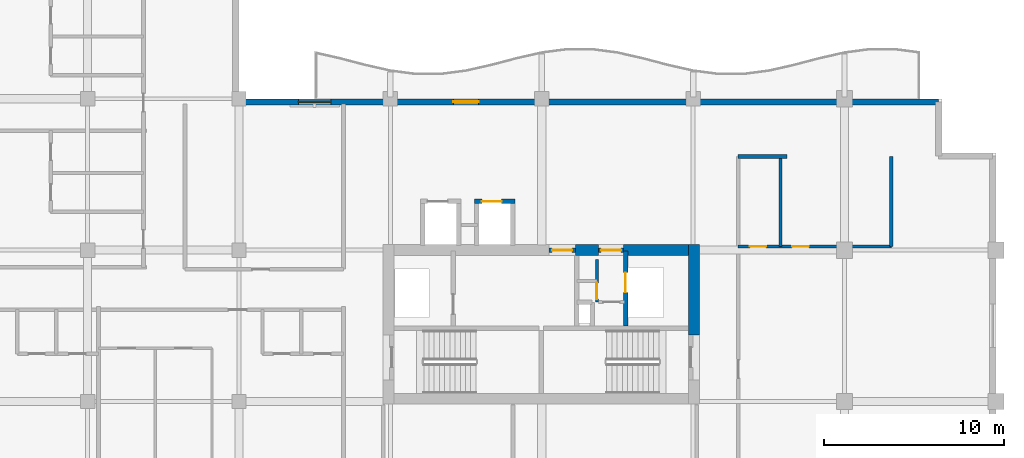
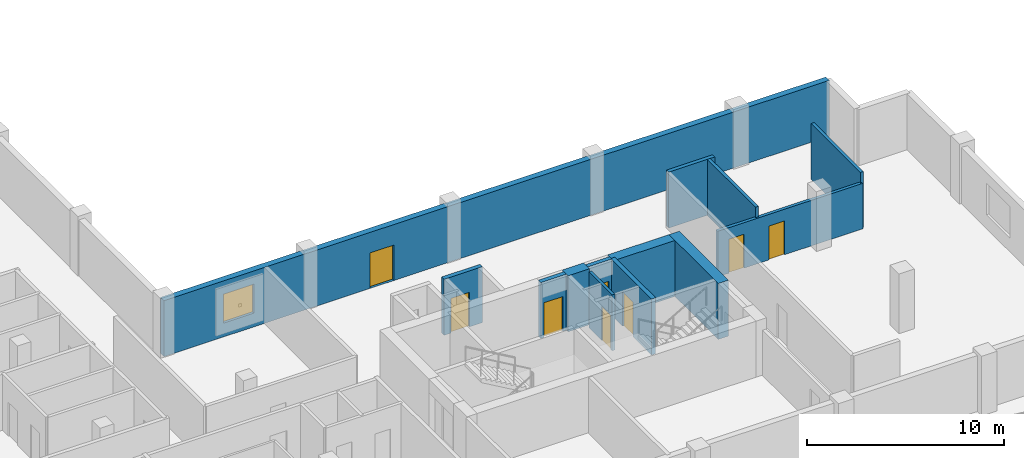
# One storey, part 5 of 12: 13 walls, 8 doors, 1 window, 9 openings.
"""IFC4 building model written with IfcOpenShell, lengths in metres."""

from ifc_helpers import new_model, si_unit, direction, frame, frame_2d, origin, place, context, subcontext, project, spatial, rectangle, extrude, material, layer, layer_set, type_object, element, fill, save


model = new_model("IFC4")

# Units and contexts
model_context = context("Model", 3, precision=1e-05, world=origin(), true_north=direction((0.0, 1.0)))
body_context = subcontext(model_context, "Body", "Model", "MODEL_VIEW")
ifc_project = project(units=[si_unit("LENGTHUNIT", "METRE"), si_unit("AREAUNIT", "SQUARE_METRE"), si_unit("VOLUMEUNIT", "CUBIC_METRE"), si_unit("PLANEANGLEUNIT", "RADIAN"), si_unit("MASSUNIT", "GRAM", prefix="KILO")], contexts=[model_context])

# Site, building, storey
site_placement = place(None, origin())
site = spatial("IfcSite", under=ifc_project, at=site_placement, CompositionType="ELEMENT")
building_placement = place(site_placement, origin())
building = spatial("IfcBuilding", under=site, at=building_placement, Name="Koriwani Terraces Tower", CompositionType="ELEMENT")
storey_placement = place(building_placement, frame((0.0, 0.0, 263.800048828125)))
storey = spatial("IfcBuildingStorey", under=building, at=storey_placement, Name="L65", CompositionType="ELEMENT", Elevation=263.800048828125)

# Walls
ifc_material_1 = material(Name="Concrete C60/75", Category="concrete")
ifc_layer_1 = layer(ifc_material_1, 0.60009765625, Name="Concrete C60/75")
ifc_layer_set_1 = layer_set([ifc_layer_1], Name="Concrete C60/75")
wall_type_1 = type_object("IfcWallType", Name="WALL_CORE_RC_600", PredefinedType="SHEAR", material=ifc_layer_set_1)
wall_1_placement = place(storey_placement, frame((58.85009765625, 20.5, 0.0), z_axis=(0.0, 0.0, 1.0), x_axis=(0.0, 1.0, 0.0)))
element("IfcWall", 1, at=wall_1_placement, inside=storey, type_object=wall_type_1, Name="L65 East Split Core Shear Wall E2", PredefinedType="SHEAR", context=body_context, shape_type="SweptSolid", body=[
    extrude(rectangle(XDim=5.0, YDim=0.60009765625, at=frame_2d((2.5, 0.0))), origin(), (0.0, 0.0, 1.0), 3.469970703125),
])
wall_2_placement = place(storey_placement, frame((52.280029296875, 25.199951171875, 0.0), z_axis=(0.0, 0.0, 1.0), x_axis=(1.0, 0.0, 0.0)))
element("IfcWall", 2, at=wall_2_placement, inside=storey, type_object=wall_type_1, Name="L65 East Split Core Shear Wall N2", PredefinedType="SHEAR", context=body_context, shape_type="SweptSolid", body=[
    extrude(rectangle(XDim=1.27001953125, YDim=0.60009765625, at=frame_2d((0.635009765625, 0.0))), origin(), (0.0, 0.0, 1.0), 3.469970703125),
])
wall_3_placement = place(storey_placement, frame((54.949951171875, 25.199951171875, 0.0), z_axis=(0.0, 0.0, 1.0), x_axis=(1.0, 0.0, 0.0)))
element("IfcWall", 3, at=wall_3_placement, inside=storey, type_object=wall_type_1, Name="L65 East Split Core Shear Wall N3", PredefinedType="SHEAR", context=body_context, shape_type="SweptSolid", body=[
    extrude(rectangle(XDim=3.60009765625, YDim=0.60009765625, at=frame_2d((1.800048828125, 0.0))), origin(), (0.0, 0.0, 1.0), 3.469970703125),
])
ifc_material_2 = material(Name="Autoclaved Cellular Concrete Blockwork", Category="masonry")
ifc_layer_2 = layer(ifc_material_2, 0.219970703125, Name="Autoclaved Cellular Concrete Blockwork")
ifc_layer_set_2 = layer_set([ifc_layer_2], Name="Autoclaved Cellular Concrete Blockwork")
wall_type_2 = type_object("IfcWallType", Name="WALL_DEMISING_220", PredefinedType="PARTITIONING", material=ifc_layer_set_2)
wall_4_placement = place(storey_placement, frame((61.300048828125, 30.39990234375, 0.0), z_axis=(0.0, 0.0, 1.0), x_axis=(1.0, 0.0, 0.0)))
element("IfcWall", 4, at=wall_4_placement, inside=storey, type_object=wall_type_2, Name="L65 Interior Wall WET-N-L65", PredefinedType="PARTITIONING", context=body_context, shape_type="SweptSolid", body=[
    extrude(rectangle(XDim=2.699951171875, YDim=0.219970703125, at=frame_2d((1.35009765625, 0.0))), origin(), (0.0, 0.0, 1.0), 3.469970703125),
])

# Wall, openings, door, window
ifc_material_3 = material(Name="Concrete C50/60", Category="concrete")
ifc_layer_3 = layer(ifc_material_3, 0.35009765625, Name="Concrete C50/60")
ifc_layer_set_3 = layer_set([ifc_layer_3], Name="Concrete C50/60")
wall_type_3 = type_object("IfcWallType", Name="WALL_EXT_BRUTALIST_350", PredefinedType="STANDARD", material=ifc_layer_set_3)
wall_5_placement = place(storey_placement, frame((33.425048828125, 33.425048828125, 0.0), z_axis=(0.0, 0.0, 1.0), x_axis=(1.0, 0.0, 0.0)))
wall_5 = element("IfcWall", 5, at=wall_5_placement, inside=storey, type_object=wall_type_3, Name="L65 Fair-Faced Brutalist Exterior Wall (NE)", PredefinedType="STANDARD", context=body_context, shape_type="SweptSolid", body=[
    extrude(rectangle(XDim=39.0, YDim=0.35009765625, at=frame_2d((19.5, 0.0))), origin(), (0.0, 0.0, 1.0), 3.469970703125),
])
opening_1_placement = place(wall_5_placement, frame((12.074951171875, 0.0, 0.0)))
opening_1 = element("IfcOpeningElement", 6, at=opening_1_placement, cuts=wall_5, Name="Opening D-09", PredefinedType="OPENING", context=body_context, shape_type="SweptSolid", body=[
    extrude(rectangle(XDim=1.39990234375, YDim=2.199951171875, at=frame_2d((0.699951171875, 1.10009765625))), frame((0.0, 0.18505859375, 0.0), z_axis=(0.0, -1.0, 0.0), x_axis=(1.0, 0.0, 0.0)), (0.0, 0.0, 1.0), 0.3701171875),
])
opening_2_placement = place(wall_5_placement, frame((3.47509765625, 0.0, 0.85009765625)))
opening_2 = element("IfcOpeningElement", 7, at=opening_2_placement, cuts=wall_5, Name="Opening W-04", PredefinedType="OPENING", context=body_context, shape_type="SweptSolid", body=[
    extrude(rectangle(XDim=1.800048828125, YDim=1.800048828125, at=frame_2d((0.89990234375, 0.89990234375))), frame((0.0, 0.18505859375, 0.0), z_axis=(0.0, -1.0, 0.0), x_axis=(1.0, 0.0, 0.0)), (0.0, 0.0, 1.0), 0.3701171875),
])
ifc_material_4 = material(Name="Anodised Bronze Aluminium", Category="aluminium")
door_type_1 = type_object("IfcDoorType", Name="DOOR_BALCONY_GLAZED_1400X2200", OperationType="NOTDEFINED", PredefinedType="DOOR", material=ifc_material_4)
door_1_placement = place(opening_1_placement, origin())
door_1 = element("IfcDoor", 8, at=door_1_placement, inside=storey, type_object=door_type_1, Name="L65 Inner Court Balcony Glazed Door", OperationType="SINGLE_SWING_LEFT", OverallHeight=2.199951171875, OverallWidth=1.39990234375, PredefinedType="DOOR", context=body_context, shape_type="SweptSolid", body=[
    extrude(rectangle(XDim=1.39990234375, YDim=2.199951171875, at=frame_2d((0.699951171875, 1.10009765625))), frame((0.0, 0.02490234375, 0.0), z_axis=(0.0, -1.0, 0.0), x_axis=(1.0, 0.0, 0.0)), (0.0, 0.0, 1.0), 0.050048828125),
])
fill(opening_1, door_1)
ifc_material_5 = material(Name="Tempered Laminated Low-E Glass", Category="glass")
window_type = type_object("IfcWindowType", Name="WIN_RES_BED_1800X1800", PartitioningType="DOUBLE_PANEL_VERTICAL", PredefinedType="WINDOW", material=ifc_material_5)
window_placement = place(opening_2_placement, origin())
window = element("IfcWindow", 9, at=window_placement, inside=storey, type_object=window_type, Name="L65 Exterior Window (NE-2)", OverallHeight=1.800048828125, OverallWidth=1.800048828125, PartitioningType="SINGLE_PANEL", PredefinedType="WINDOW", context=body_context, shape_type="SweptSolid", body=[
    extrude(rectangle(XDim=1.800048828125, YDim=1.800048828125, at=frame_2d((0.89990234375, 0.89990234375))), frame((0.0, 0.030029296875, 0.0), z_axis=(0.0, -1.0, 0.0), x_axis=(1.0, 0.0, 0.0)), (0.0, 0.0, 1.0), 0.06005859375),
])
fill(opening_2, window)

# Wall, openings, doors
ifc_material_6 = material(Name="Fire-Rated Acoustic Gypsum Partition", Category="masonry")
ifc_layer_4 = layer(ifc_material_6, 0.179931640625, Name="Fire-Rated Acoustic Gypsum Partition")
ifc_layer_set_4 = layer_set([ifc_layer_4], Name="Fire-Rated Acoustic Gypsum Partition")
wall_type_4 = type_object("IfcWallType", Name="WALL_PLUMBING_180", PredefinedType="PLUMBINGWALL", material=ifc_layer_set_4)
wall_6_placement = place(storey_placement, frame((61.300048828125, 25.39990234375, 0.0), z_axis=(0.0, 0.0, 1.0), x_axis=(1.0, 0.0, 0.0)))
wall_6 = element("IfcWall", 10, at=wall_6_placement, inside=storey, type_object=wall_type_4, Name="L65 Interior Wall WET-SVB-L65", PredefinedType="PLUMBINGWALL", context=body_context, shape_type="SweptSolid", body=[
    extrude(rectangle(XDim=8.5, YDim=0.179931640625, at=frame_2d((4.25, 0.0))), origin(), (0.0, 0.0, 1.0), 2.820068359375),
])
opening_3_placement = place(wall_6_placement, frame((0.64990234375, 0.0, 0.0)))
opening_3 = element("IfcOpeningElement", 11, at=opening_3_placement, cuts=wall_6, Name="Opening D-07", PredefinedType="OPENING", context=body_context, shape_type="SweptSolid", body=[
    extrude(rectangle(XDim=0.89990234375, YDim=2.10009765625, at=frame_2d((0.449951171875, 1.050048828125))), frame((0.0, 0.10009765625, 0.0), z_axis=(0.0, -1.0, 0.0), x_axis=(1.0, 0.0, 0.0)), (0.0, 0.0, 1.0), 0.199951171875),
])
opening_4_placement = place(wall_6_placement, frame((3.0, 0.0, 0.0)))
opening_4 = element("IfcOpeningElement", 12, at=opening_4_placement, cuts=wall_6, Name="Opening D-06", PredefinedType="OPENING", context=body_context, shape_type="SweptSolid", body=[
    extrude(rectangle(XDim=0.919921875, YDim=2.10009765625, at=frame_2d((0.4599609375, 1.050048828125))), frame((0.0, 0.10009765625, 0.0), z_axis=(0.0, -1.0, 0.0), x_axis=(1.0, 0.0, 0.0)), (0.0, 0.0, 1.0), 0.199951171875),
])
ifc_material_7 = material(Name="Architectural Oak Fire Door", Category="wood")
door_type_2 = type_object("IfcDoorType", Name="DOOR_BATH_INT_900X2100", OperationType="NOTDEFINED", PredefinedType="DOOR", material=ifc_material_7)
door_2_placement = place(opening_3_placement, origin())
door_2 = element("IfcDoor", 13, at=door_2_placement, inside=storey, type_object=door_type_2, Name="Apartment 65ET Bathroom Door", OperationType="SINGLE_SWING_RIGHT", OverallHeight=2.10009765625, OverallWidth=0.89990234375, PredefinedType="DOOR", context=body_context, shape_type="SweptSolid", body=[
    extrude(rectangle(XDim=0.89990234375, YDim=2.10009765625, at=frame_2d((0.449951171875, 1.050048828125))), frame((0.0, 0.02490234375, 0.0), z_axis=(0.0, -1.0, 0.0), x_axis=(1.0, 0.0, 0.0)), (0.0, 0.0, 1.0), 0.050048828125),
])
fill(opening_3, door_2)
door_type_3 = type_object("IfcDoorType", Name="DOOR_ROOM_INT_920X2100", OperationType="NOTDEFINED", PredefinedType="DOOR", material=ifc_material_7)
door_3_placement = place(opening_4_placement, origin())
door_3 = element("IfcDoor", 14, at=door_3_placement, inside=storey, type_object=door_type_3, Name="Apartment 65ET Kitchen Door", OperationType="SINGLE_SWING_LEFT", OverallHeight=2.10009765625, OverallWidth=0.919921875, PredefinedType="DOOR", context=body_context, shape_type="SweptSolid", body=[
    extrude(rectangle(XDim=0.919921875, YDim=2.10009765625, at=frame_2d((0.4599609375, 1.050048828125))), frame((0.0, 0.02490234375, 0.0), z_axis=(0.0, -1.0, 0.0), x_axis=(1.0, 0.0, 0.0)), (0.0, 0.0, 1.0), 0.050048828125),
])
fill(opening_4, door_3)

# Walls
for number, where, z_axis, x_axis, name in (
    (15, (63.64990234375, 25.39990234375, 0.0), (0.0, 0.0, 1.0), (0.0, 1.0, 0.0), "L65 Interior Wall WET-SVCM-L65"),
    (16, (69.800048828125, 25.39990234375, 0.0), (0.0, 0.0, 1.0), (0.0, 1.0, 0.0), "L65 Interior Wall WET-SVKE-L65"),
):
    element("IfcWall", number, at=place(storey_placement, frame(where, z_axis=z_axis, x_axis=x_axis)), inside=storey, type_object=wall_type_4, Name=name, PredefinedType="PLUMBINGWALL", context=body_context, shape_type="SweptSolid", body=[
        extrude(rectangle(XDim=5.0, YDim=0.179931640625, at=frame_2d((2.5, 0.0))), origin(), (0.0, 0.0, 1.0), 3.469970703125),
    ])

# Wall, opening, door
ifc_material_8 = material(Name="Concrete C40/50", Category="concrete")
ifc_layer_5 = layer(ifc_material_8, 0.25, Name="Concrete C40/50")
ifc_layer_set_5 = layer_set([ifc_layer_5], Name="Concrete C40/50")
wall_type_5 = type_object("IfcWallType", Name="WALL_SHAFT_RATED_250", PredefinedType="SOLIDWALL", material=ifc_layer_set_5)
wall_7_placement = place(storey_placement, frame((50.800048828125, 25.199951171875, 0.0), z_axis=(0.0, 0.0, 1.0), x_axis=(1.0, 0.0, 0.0)))
wall_7 = element("IfcWall", 17, at=wall_7_placement, inside=storey, type_object=wall_type_5, Name="L65 Interior Wall WIN-CE-L65-NP", PredefinedType="SOLIDWALL", context=body_context, shape_type="SweptSolid", body=[
    extrude(rectangle(XDim=1.47998046875, YDim=0.25, at=frame_2d((0.739990234375, 0.0))), origin(), (0.0, 0.0, 1.0), 3.469970703125),
])
opening_5_placement = place(wall_7_placement, frame((0.179931640625, 0.0, 0.0)))
opening_5 = element("IfcOpeningElement", 18, at=opening_5_placement, cuts=wall_7, Name="Opening D-03", PredefinedType="OPENING", context=body_context, shape_type="SweptSolid", body=[
    extrude(rectangle(XDim=1.10009765625, YDim=2.14990234375, at=frame_2d((0.550048828125, 1.074951171875))), frame((0.0, 0.135009765625, 0.0), z_axis=(0.0, -1.0, 0.0), x_axis=(1.0, 0.0, 0.0)), (0.0, 0.0, 1.0), 0.27001953125),
])
ifc_material_9 = material(Name="Steel ASTM A572 Grade 50", Category="steel")
door_type_4 = type_object("IfcDoorType", Name="DOOR_STAIR_FIRE_1100X2150", OperationType="NOTDEFINED", PredefinedType="DOOR", material=ifc_material_9)
door_4_placement = place(opening_5_placement, origin())
door_4 = element("IfcDoor", 19, at=door_4_placement, inside=storey, type_object=door_type_4, Name="L65 East Firefighting Lobby Door", OperationType="SINGLE_SWING_RIGHT", OverallHeight=2.14990234375, OverallWidth=1.10009765625, PredefinedType="DOOR", context=body_context, shape_type="SweptSolid", body=[
    extrude(rectangle(XDim=1.10009765625, YDim=2.14990234375, at=frame_2d((0.550048828125, 1.074951171875))), frame((0.0, 0.02490234375, 0.0), z_axis=(0.0, -1.0, 0.0), x_axis=(1.0, 0.0, 0.0)), (0.0, 0.0, 1.0), 0.050048828125),
])
fill(opening_5, door_4)

wall_8_placement = place(storey_placement, frame((55.050048828125, 21.0, 0.0), z_axis=(0.0, 0.0, 1.0), x_axis=(0.0, 1.0, 0.0)))
wall_8 = element("IfcWall", 20, at=wall_8_placement, inside=storey, type_object=wall_type_5, Name="L65 Interior Wall WIN-CE-L65-SE", PredefinedType="SOLIDWALL", context=body_context, shape_type="SweptSolid", body=[
    extrude(rectangle(XDim=4.14990234375, YDim=0.25, at=frame_2d((2.074951171875, 0.0))), origin(), (0.0, 0.0, 1.0), 3.469970703125),
])
opening_6_placement = place(wall_8_placement, frame((1.85009765625, 0.0, 0.0)))
opening_6 = element("IfcOpeningElement", 21, at=opening_6_placement, cuts=wall_8, Name="Opening LD-01", PredefinedType="OPENING", context=body_context, shape_type="SweptSolid", body=[
    extrude(rectangle(XDim=1.10009765625, YDim=2.14990234375, at=frame_2d((0.550048828125, 1.074951171875))), frame((0.0, 0.135009765625, 0.0), z_axis=(0.0, -1.0, 0.0), x_axis=(1.0, 0.0, 0.0)), (0.0, 0.0, 1.0), 0.27001953125),
])
door_type_5 = type_object("IfcDoorType", Name="DOOR_LIFT_LANDING_1100X2200", OperationType="NOTDEFINED", PredefinedType="DOOR", material=ifc_material_9)
door_5_placement = place(opening_6_placement, origin())
door_5 = element("IfcDoor", 22, at=door_5_placement, inside=storey, type_object=door_type_5, Name="L65 Goods Lift SE-02 Landing Door", OperationType="SLIDING_TO_LEFT", OverallHeight=2.14990234375, OverallWidth=1.10009765625, PredefinedType="DOOR", context=body_context, shape_type="SweptSolid", body=[
    extrude(rectangle(XDim=1.10009765625, YDim=2.14990234375, at=frame_2d((0.550048828125, 1.074951171875))), frame((0.0, 0.02490234375, 0.0), z_axis=(0.0, -1.0, 0.0), x_axis=(1.0, 0.0, 0.0)), (0.0, 0.0, 1.0), 0.050048828125),
])
fill(opening_6, door_5)

wall_9_placement = place(storey_placement, frame((53.550048828125, 25.199951171875, 0.0), z_axis=(0.0, 0.0, 1.0), x_axis=(1.0, 0.0, 0.0)))
wall_9 = element("IfcWall", 23, at=wall_9_placement, inside=storey, type_object=wall_type_5, Name="L65 Interior Wall WIN-CE-L65-NP2", PredefinedType="SOLIDWALL", context=body_context, shape_type="SweptSolid", body=[
    extrude(rectangle(XDim=1.39990234375, YDim=0.25, at=frame_2d((0.699951171875, 0.0))), origin(), (0.0, 0.0, 1.0), 3.469970703125),
])
opening_7_placement = place(wall_9_placement, frame((0.14990234375, 0.0, 0.0)))
opening_7 = element("IfcOpeningElement", 24, at=opening_7_placement, cuts=wall_9, Name="Opening D-03", PredefinedType="OPENING", context=body_context, shape_type="SweptSolid", body=[
    extrude(rectangle(XDim=1.10009765625, YDim=2.14990234375, at=frame_2d((0.550048828125, 1.074951171875))), frame((0.0, 0.135009765625, 0.0), z_axis=(0.0, -1.0, 0.0), x_axis=(1.0, 0.0, 0.0)), (0.0, 0.0, 1.0), 0.27001953125),
])
door_6_placement = place(opening_7_placement, origin())
door_6 = element("IfcDoor", 25, at=door_6_placement, inside=storey, type_object=door_type_4, Name="L65 East Goods Lift Lobby Door", OperationType="SINGLE_SWING_LEFT", OverallHeight=2.14990234375, OverallWidth=1.10009765625, PredefinedType="DOOR", context=body_context, shape_type="SweptSolid", body=[
    extrude(rectangle(XDim=1.10009765625, YDim=2.14990234375, at=frame_2d((0.550048828125, 1.074951171875))), frame((0.0, 0.02490234375, 0.0), z_axis=(0.0, -1.0, 0.0), x_axis=(1.0, 0.0, 0.0)), (0.0, 0.0, 1.0), 0.050048828125),
])
fill(opening_7, door_6)

wall_10_placement = place(storey_placement, frame((46.675048828125, 27.89990234375, 0.0), z_axis=(0.0, 0.0, 1.0), x_axis=(1.0, 0.0, 0.0)))
wall_10 = element("IfcWall", 26, at=wall_10_placement, inside=storey, type_object=wall_type_5, Name="L65 Interior Wall WIN-LF-PE-H4-L65-F", PredefinedType="SOLIDWALL", context=body_context, shape_type="SweptSolid", body=[
    extrude(rectangle(XDim=2.25, YDim=0.25, at=frame_2d((1.125, 0.0))), origin(), (0.0, 0.0, 1.0), 3.469970703125),
])
opening_8_placement = place(wall_10_placement, frame((0.39990234375, 0.0, 0.0)))
opening_8 = element("IfcOpeningElement", 27, at=opening_8_placement, cuts=wall_10, Name="Opening LD-01", PredefinedType="OPENING", context=body_context, shape_type="SweptSolid", body=[
    extrude(rectangle(XDim=1.10009765625, YDim=2.14990234375, at=frame_2d((0.550048828125, 1.074951171875))), frame((0.0, 0.135009765625, 0.0), z_axis=(0.0, -1.0, 0.0), x_axis=(1.0, 0.0, 0.0)), (0.0, 0.0, 1.0), 0.27001953125),
])
door_7_placement = place(opening_8_placement, origin())
door_7 = element("IfcDoor", 28, at=door_7_placement, inside=storey, type_object=door_type_5, Name="L65 Passenger Lift PE-H4 Landing Door", OperationType="SLIDING_TO_LEFT", OverallHeight=2.14990234375, OverallWidth=1.10009765625, PredefinedType="DOOR", context=body_context, shape_type="SweptSolid", body=[
    extrude(rectangle(XDim=1.10009765625, YDim=2.14990234375, at=frame_2d((0.550048828125, 1.074951171875))), frame((0.0, 0.02490234375, 0.0), z_axis=(0.0, -1.0, 0.0), x_axis=(1.0, 0.0, 0.0)), (0.0, 0.0, 1.0), 0.050048828125),
])
fill(opening_8, door_7)

ifc_layer_6 = layer(ifc_material_6, 0.159912109375, Name="Fire-Rated Acoustic Gypsum Partition")
ifc_layer_set_6 = layer_set([ifc_layer_6], Name="Fire-Rated Acoustic Gypsum Partition")
wall_type_6 = type_object("IfcWallType", Name="WALL_SUITE_160", PredefinedType="PARTITIONING", material=ifc_layer_set_6)
wall_11_placement = place(storey_placement, frame((53.4599609375, 22.320068359375, 0.0), z_axis=(0.0, 0.0, 1.0), x_axis=(0.0, 1.0, 0.0)))
wall_11 = element("IfcWall", 29, at=wall_11_placement, inside=storey, type_object=wall_type_6, Name="L65 Interior Wall WIN-CE-L65-SV2H", PredefinedType="PARTITIONING", context=body_context, shape_type="SweptSolid", body=[
    extrude(rectangle(XDim=2.35986328125, YDim=0.159912109375, at=frame_2d((1.179931640625, 0.0))), origin(), (0.0, 0.0, 1.0), 3.469970703125),
])
opening_9_placement = place(wall_11_placement, frame((0.159912109375, 0.0, 0.0)))
opening_9 = element("IfcOpeningElement", 30, at=opening_9_placement, cuts=wall_11, Name="Opening D-07", PredefinedType="OPENING", context=body_context, shape_type="SweptSolid", body=[
    extrude(rectangle(XDim=0.89990234375, YDim=2.10009765625, at=frame_2d((0.449951171875, 1.050048828125))), frame((0.0, 0.08984375, 0.0), z_axis=(0.0, -1.0, 0.0), x_axis=(1.0, 0.0, 0.0)), (0.0, 0.0, 1.0), 0.179931640625),
])
door_8_placement = place(opening_9_placement, origin())
door_8 = element("IfcDoor", 31, at=door_8_placement, inside=storey, type_object=door_type_2, Name="L65 East Valve Room Door", OperationType="SINGLE_SWING_LEFT", OverallHeight=2.10009765625, OverallWidth=0.89990234375, PredefinedType="DOOR", context=body_context, shape_type="SweptSolid", body=[
    extrude(rectangle(XDim=0.89990234375, YDim=2.10009765625, at=frame_2d((0.449951171875, 1.050048828125))), frame((0.0, 0.02490234375, 0.0), z_axis=(0.0, -1.0, 0.0), x_axis=(1.0, 0.0, 0.0)), (0.0, 0.0, 1.0), 0.050048828125),
])
fill(opening_9, door_8)

save(model, "model.ifc")
